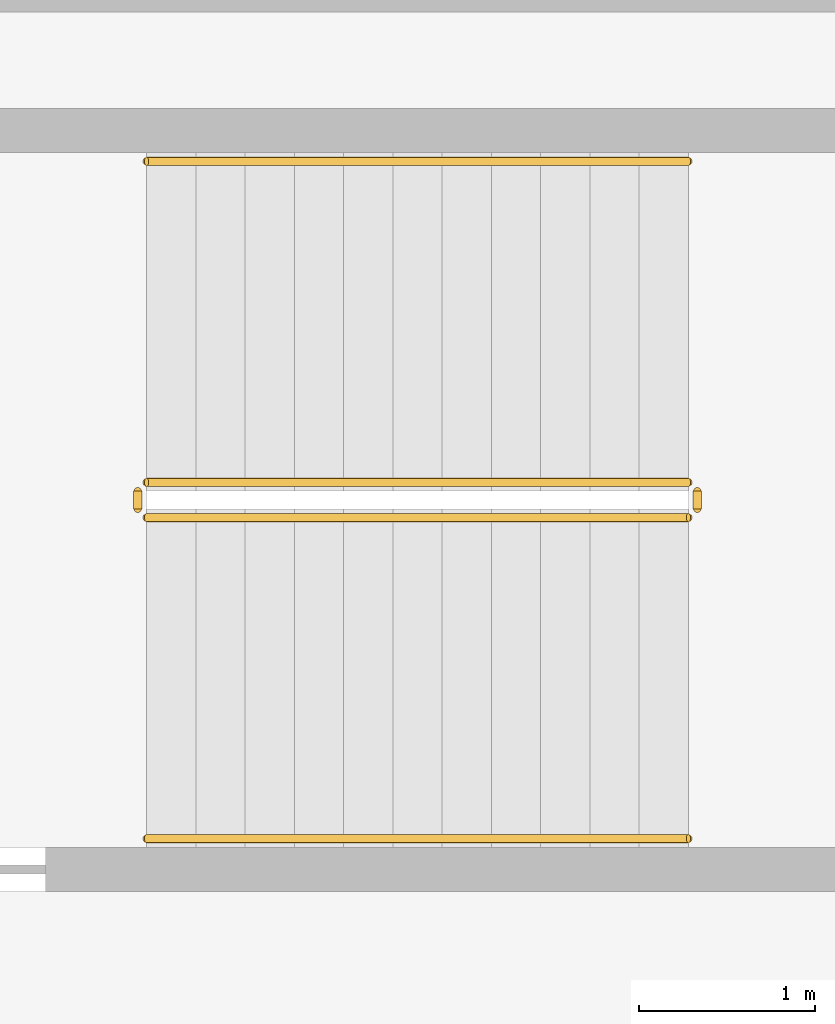
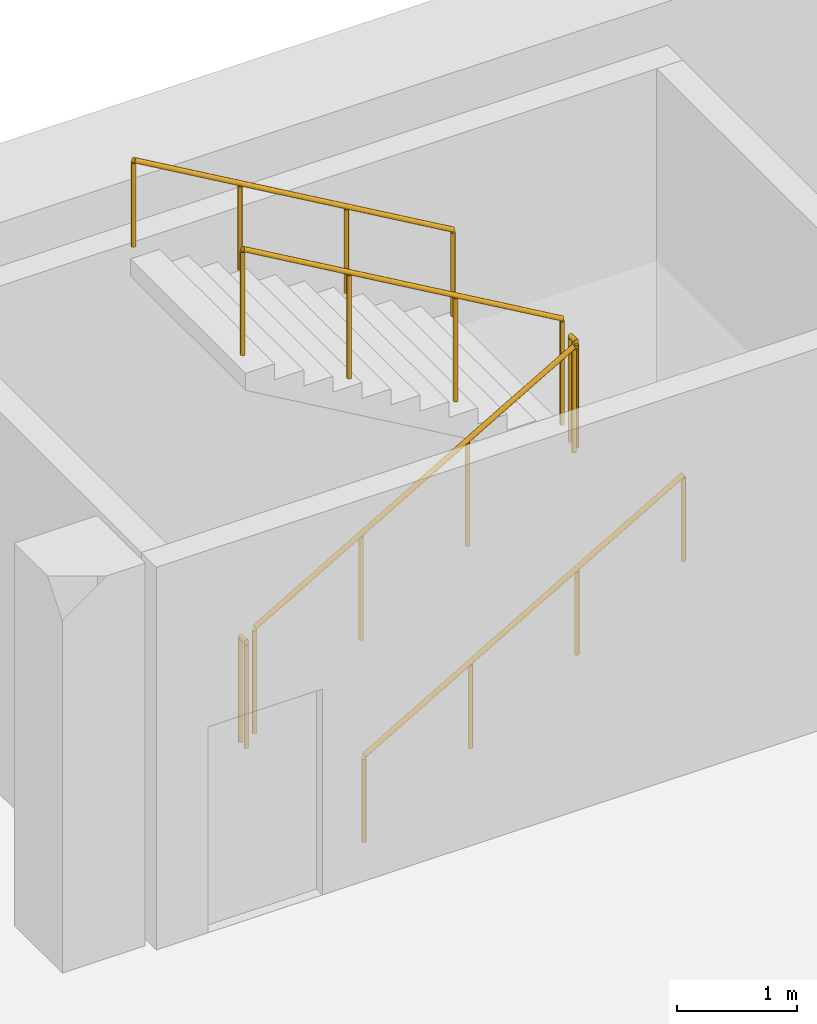
# One storey, part 25 of 25: 6 railings.
"""IFC4 building model written with IfcOpenShell, lengths in metres."""

from ifc_helpers import new_model, si_unit, direction, frame, origin, origin_2d, place, context, subcontext, project, spatial, circle, extrude, material, type_object, element, save


model = new_model("IFC4")

# Units and contexts
model_context = context("Model", 3, precision=1e-05, world=origin(), true_north=direction((0.0, 1.0)))
body_context = subcontext(model_context, "Body", "Model", "MODEL_VIEW")
ifc_project = project(units=[si_unit("LENGTHUNIT", "METRE"), si_unit("AREAUNIT", "SQUARE_METRE"), si_unit("VOLUMEUNIT", "CUBIC_METRE"), si_unit("PLANEANGLEUNIT", "RADIAN"), si_unit("MASSUNIT", "GRAM", prefix="KILO")], contexts=[model_context])

# Site, building, storey
site_placement = place(None, origin())
site = spatial("IfcSite", under=ifc_project, at=site_placement, CompositionType="ELEMENT")
building_placement = place(site_placement, origin())
building = spatial("IfcBuilding", under=site, at=building_placement, Name="Verdalira Terraces Hotel", CompositionType="ELEMENT")
storey_placement = place(building_placement, frame((0.0, 0.0, -7.800049)))
storey = spatial("IfcBuildingStorey", under=building, at=storey_placement, Name="B2", CompositionType="ELEMENT", Elevation=-7.800048828125)

# Railings
ifc_material_1 = material(Name="Stainless steel", Category="steel")
railing_type_1 = type_object("IfcRailingType", Name="Stair guard 1100", PredefinedType="GUARDRAIL", material=ifc_material_1)
railing_1_placement = place(storey_placement, frame((22.225098, 50.125, 0.162598)))
element("IfcRailing", 1, at=railing_1_placement, inside=storey, type_object=railing_type_1, Name="B2 Basement stair 3 stair guard 1", PredefinedType="GUARDRAIL", context=body_context, shape_type="SweptSolid", body=[
    extrude(circle(Radius=0.023926, at=origin_2d()), frame((0.0, 0.0, 1.076172), z_axis=(0.864903211, 0.0, 0.501938677), x_axis=(0.0, 1.0, 0.0)), (0.0, 0.0, 1.0), 3.560791),
    extrude(circle(Radius=0.020996, at=origin_2d()), origin(), (0.0, 0.0, 1.0), 1.052002),
    extrude(circle(Radius=0.020996, at=origin_2d()), frame((1.026611, 0.0, 0.595703)), (0.0, 0.0, 1.0), 1.052002),
    extrude(circle(Radius=0.020996, at=origin_2d()), frame((2.053223, 0.0, 1.19165)), (0.0, 0.0, 1.0), 1.052002),
    extrude(circle(Radius=0.020996, at=origin_2d()), frame((3.079834, 0.0, 1.787354)), (0.0, 0.0, 1.0), 1.052002),
])
railing_2_placement = place(storey_placement, frame((25.35498, 50.175049, 1.949951)))
element("IfcRailing", 2, at=railing_2_placement, inside=storey, type_object=railing_type_1, Name="B2 Basement stair 3 stair guard 2", PredefinedType="GUARDRAIL", context=body_context, shape_type="SweptSolid", body=[
    extrude(circle(Radius=0.023926, at=origin_2d()), frame((0.0, 0.0, 1.076172), z_axis=(0.0, 1.0, 0.0), x_axis=(-1.0, 0.0, 0.0)), (0.0, 0.0, 1.0), 0.099854),
    extrude(circle(Radius=0.020996, at=origin_2d()), origin(), (0.0, 0.0, 1.0), 1.052002),
    extrude(circle(Radius=0.020996, at=origin_2d()), frame((0.0, 0.099854, 0.0)), (0.0, 0.0, 1.0), 1.052002),
])
railing_3_placement = place(storey_placement, frame((25.304932, 50.324951, 2.112549)))
element("IfcRailing", 3, at=railing_3_placement, inside=storey, type_object=railing_type_1, Name="B2 Basement stair 3 stair guard 3", PredefinedType="GUARDRAIL", context=body_context, shape_type="SweptSolid", body=[
    extrude(circle(Radius=0.023926, at=origin_2d()), frame((0.0, 0.0, 1.076172), z_axis=(-0.864873446, 0.0, 0.501989962), x_axis=(0.0, -1.0, 0.0)), (0.0, 0.0, 1.0), 3.561035),
    extrude(circle(Radius=0.020996, at=origin_2d()), origin(), (0.0, 0.0, 1.0), 1.052002),
    extrude(circle(Radius=0.020996, at=origin_2d()), frame((-1.026611, 0.0, 0.595947)), (0.0, 0.0, 1.0), 1.052002),
    extrude(circle(Radius=0.020996, at=origin_2d()), frame((-2.053223, 0.0, 1.19165)), (0.0, 0.0, 1.0), 1.052002),
    extrude(circle(Radius=0.020996, at=origin_2d()), frame((-3.079834, 0.0, 1.787598)), (0.0, 0.0, 1.0), 1.052002),
])
railing_4_placement = place(storey_placement, frame((22.175049, 50.175049, 0.0)))
element("IfcRailing", 4, at=railing_4_placement, inside=storey, type_object=railing_type_1, Name="B2 Basement stair 3 stair guard 4", PredefinedType="GUARDRAIL", context=body_context, shape_type="SweptSolid", body=[
    extrude(circle(Radius=0.023926, at=origin_2d()), frame((0.0, 0.0, 1.076172), z_axis=(0.0, 1.0, 0.0), x_axis=(-1.0, 0.0, 0.0)), (0.0, 0.0, 1.0), 0.099854),
    extrude(circle(Radius=0.020996, at=origin_2d()), origin(), (0.0, 0.0, 1.0), 1.052002),
    extrude(circle(Radius=0.020996, at=origin_2d()), frame((0.0, 0.099854, 0.0)), (0.0, 0.0, 1.0), 1.052002),
])
ifc_material_2 = material(Name="Stainless steel", Category="steel")
railing_type_2 = type_object("IfcRailingType", Name="Stair handrail 900", PredefinedType="HANDRAIL", material=ifc_material_2)
railing_5_placement = place(storey_placement, frame((22.225098, 48.300049, 0.162598)))
element("IfcRailing", 5, at=railing_5_placement, inside=storey, type_object=railing_type_2, Name="B2 Basement stair 3 stair handrail 1", PredefinedType="HANDRAIL", context=body_context, shape_type="SweptSolid", body=[
    extrude(circle(Radius=0.023926, at=origin_2d()), frame((0.0, 0.0, 0.875977), z_axis=(0.864903211, 0.0, 0.501938677), x_axis=(0.0, 1.0, 0.0)), (0.0, 0.0, 1.0), 3.560791),
    extrude(circle(Radius=0.020996, at=origin_2d()), origin(), (0.0, 0.0, 1.0), 0.851807),
    extrude(circle(Radius=0.020996, at=origin_2d()), frame((1.026611, 0.0, 0.595703)), (0.0, 0.0, 1.0), 0.851807),
    extrude(circle(Radius=0.020996, at=origin_2d()), frame((2.053223, 0.0, 1.19165)), (0.0, 0.0, 1.0), 0.851807),
    extrude(circle(Radius=0.020996, at=origin_2d()), frame((3.079834, 0.0, 1.787354)), (0.0, 0.0, 1.0), 0.851807),
])
railing_6_placement = place(storey_placement, frame((25.304932, 52.149902, 2.112549)))
element("IfcRailing", 6, at=railing_6_placement, inside=storey, type_object=railing_type_2, Name="B2 Basement stair 3 stair handrail 2", PredefinedType="HANDRAIL", context=body_context, shape_type="SweptSolid", body=[
    extrude(circle(Radius=0.023926, at=origin_2d()), frame((0.0, 0.0, 0.875977), z_axis=(-0.864873446, 0.0, 0.501989962), x_axis=(0.0, -1.0, 0.0)), (0.0, 0.0, 1.0), 3.561035),
    extrude(circle(Radius=0.020996, at=origin_2d()), origin(), (0.0, 0.0, 1.0), 0.851807),
    extrude(circle(Radius=0.020996, at=origin_2d()), frame((-1.026611, 0.0, 0.595947)), (0.0, 0.0, 1.0), 0.851807),
    extrude(circle(Radius=0.020996, at=origin_2d()), frame((-2.053223, 0.0, 1.19165)), (0.0, 0.0, 1.0), 0.851807),
    extrude(circle(Radius=0.020996, at=origin_2d()), frame((-3.079834, 0.0, 1.787598)), (0.0, 0.0, 1.0), 0.851807),
])

save(model, "model.ifc")
